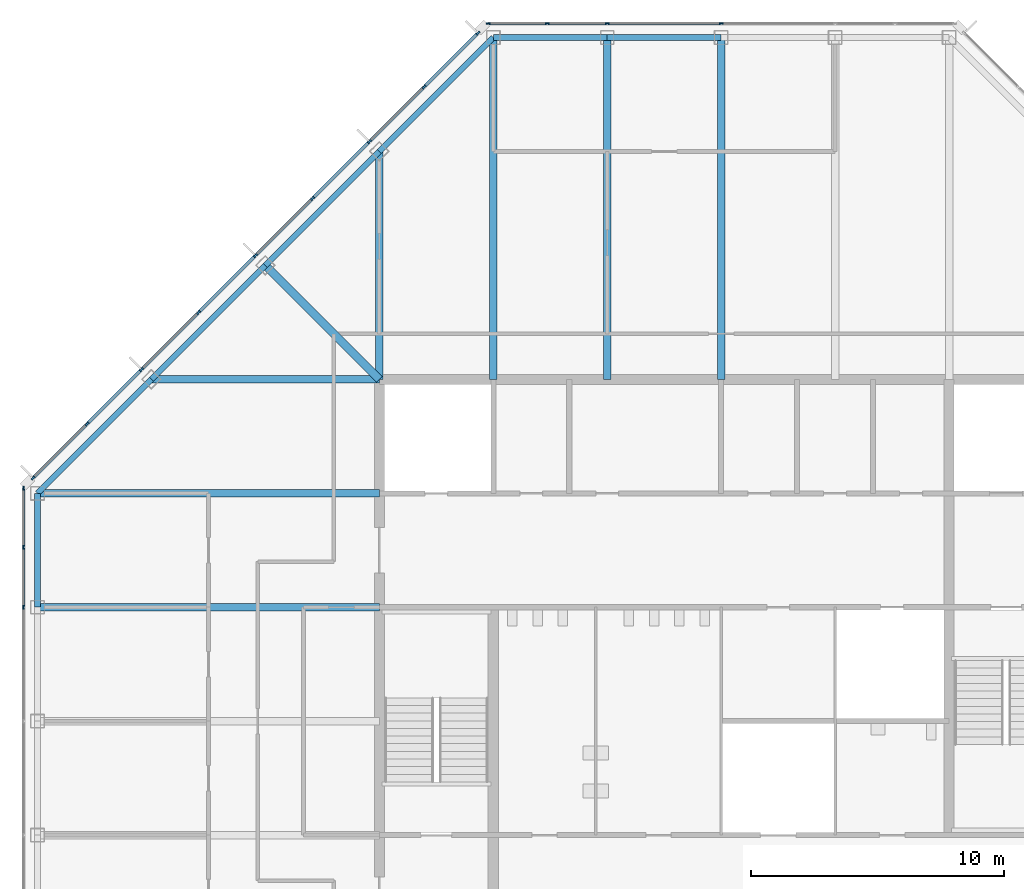
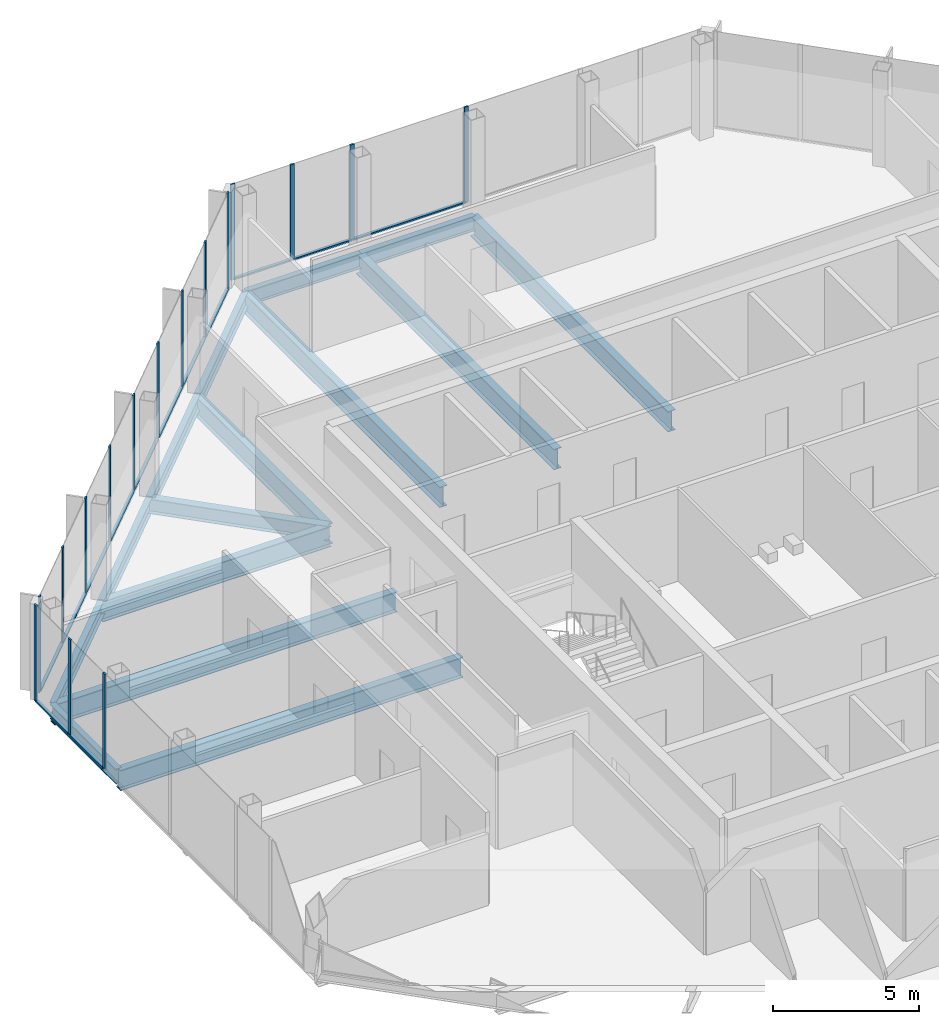
# One storey, part 6 of 14: 29 members, 15 beams, 3 elements without a shape of their own.
"""IFC4 building model written with IfcOpenShell, lengths in metres."""

import ifcopenshell
import ifcopenshell.guid

model = None  # the IFC model being written
_history = None  # IfcOwnerHistory: only IFC2X3 demands one
_inside = {}  # id of a spatial element -> (the spatial element, [elements in it])
_under = {}  # id of a project, library or spatial element -> (it, [spatial elements below it])
_declared = {}  # id of a project -> (the project, [libraries it declares])
_typed = {}  # id of a type object -> (the type object, [elements of that type])
_made_of = {}  # id of a material, layer set ... -> (it, [elements and type objects made of it])


def new_model(schema):
    """Start an empty IFC model of exactly this schema.

    Asked for "IFC4X3", IfcOpenShell would pick the latest addendum, in which some entities
    have other attributes; the version numbers below select the first issue.
    IFC2X3 requires an IfcOwnerHistory on every rooted entity: one is made here for all.
    """
    global model, _history
    if schema == "IFC4X3":
        model = ifcopenshell.file(schema_version=(4, 3, 0, 0))
    else:
        model = ifcopenshell.file(schema=schema)
    _inside.clear()
    _under.clear()
    _declared.clear()
    _typed.clear()
    _made_of.clear()
    _history = None
    if model.schema == "IFC2X3":
        org = make("IfcOrganization", Name="unknown")
        user = make(
            "IfcPersonAndOrganization",
            ThePerson=make("IfcPerson", FamilyName="unknown"),
            TheOrganization=org,
        )
        app = make(
            "IfcApplication",
            ApplicationDeveloper=org,
            Version="unknown",
            ApplicationFullName="unknown",
            ApplicationIdentifier="unknown",
        )
        _history = make(
            "IfcOwnerHistory",
            OwningUser=user,
            OwningApplication=app,
            ChangeAction="ADDED",
            CreationDate=0,
        )
    return model


def make(cls, **values):
    """One entity of the class cls with the attributes given. An attribute that is None is left unset."""
    return model.create_entity(
        cls, **{name: value for name, value in values.items() if value is not None}
    )


def rooted(cls, **values):
    """An entity with a GlobalId (a new one), such as an element, a storey or a relation."""
    return make(cls, GlobalId=ifcopenshell.guid.new(), OwnerHistory=_history, **values)


def si_unit(unit_type, name, prefix=None):
    """IfcSIUnit, for example si_unit("LENGTHUNIT", "METRE", prefix="MILLI")."""
    return make("IfcSIUnit", UnitType=unit_type, Prefix=prefix, Name=name)


def assignment(units):
    """IfcUnitAssignment: the units of a project."""
    return None if units is None else make("IfcUnitAssignment", Units=units)


def point(xyz):
    """IfcCartesianPoint."""
    return None if xyz is None else make("IfcCartesianPoint", Coordinates=xyz)


def direction(xyz):
    """IfcDirection."""
    return None if xyz is None else make("IfcDirection", DirectionRatios=xyz)


def frame(location, z_axis=None, x_axis=None):
    """IfcAxis2Placement3D, a coordinate frame: its origin and axes. An axis left out is left unset."""
    return make(
        "IfcAxis2Placement3D",
        Location=point(location),
        Axis=direction(z_axis),
        RefDirection=direction(x_axis),
    )


def frame_2d(location, x_axis=None):
    """IfcAxis2Placement2D, a coordinate frame in the plane: its origin and x axis."""
    return make(
        "IfcAxis2Placement2D", Location=point(location), RefDirection=direction(x_axis)
    )


def origin():
    """The frame at (0, 0, 0) with its axes left unset."""
    return frame((0.0, 0.0, 0.0))


def origin_2d():
    """The frame at (0, 0) in the plane with its x axis left unset."""
    return frame_2d((0.0, 0.0))


def place(relative_to, where):
    """IfcLocalPlacement: puts the frame where relative to a parent placement (None: the world)."""
    return make(
        "IfcLocalPlacement", PlacementRelTo=relative_to, RelativePlacement=where
    )


def context(
    kind, dimensions, precision=None, world=None, true_north=None, identifier=None
):
    """IfcGeometricRepresentationContext, for example the 3D "Model" context."""
    return make(
        "IfcGeometricRepresentationContext",
        ContextIdentifier=identifier,
        ContextType=kind,
        CoordinateSpaceDimension=dimensions,
        Precision=precision,
        WorldCoordinateSystem=world,
        TrueNorth=true_north,
    )


def subcontext(parent, identifier, kind, view, scale=None):
    """IfcGeometricRepresentationSubContext, for example "Body" below "Model"."""
    return make(
        "IfcGeometricRepresentationSubContext",
        ContextIdentifier=identifier,
        ContextType=kind,
        ParentContext=parent,
        TargetScale=scale,
        TargetView=view,
    )


def project(units=None, contexts=None):
    """IfcProject with its units and contexts."""
    return rooted(
        "IfcProject",
        Name="project",
        RepresentationContexts=contexts,
        UnitsInContext=assignment(units),
    )


def spatial(cls, under=None, at=None, **own):
    """A site, building, storey or space (cls), placed at a placement, below another one or the project."""
    s = rooted(cls, ObjectPlacement=at, **own)
    if under is not None:
        _under.setdefault(under.id(), (under, []))[1].append(s)
    return s


def profile(cls, at=None, kind="AREA", **sizes):
    """A parametric profile (cls). Its sizes go by their IFC names, for example OverallWidth=200.0."""
    return make(cls, ProfileType=kind, Position=at, **sizes)


def rectangle(**sizes):
    """IfcRectangleProfileDef."""
    return profile("IfcRectangleProfileDef", **sizes)


def i_section(**sizes):
    """IfcIShapeProfileDef."""
    return profile("IfcIShapeProfileDef", **sizes)


def extrude(swept, where, along, depth):
    """IfcExtrudedAreaSolid: the profile swept, set in the frame where, extruded along a direction by depth."""
    return make(
        "IfcExtrudedAreaSolid",
        SweptArea=swept,
        Position=where,
        ExtrudedDirection=direction(along),
        Depth=depth,
    )


def shape(context_of_items, identifier, shape_type, items):
    """IfcShapeRepresentation: the items that make up one representation, for example the "Body"."""
    return make(
        "IfcShapeRepresentation",
        ContextOfItems=context_of_items,
        RepresentationIdentifier=identifier,
        RepresentationType=shape_type,
        Items=items,
    )


def material(Name=None, Category=None):
    """IfcMaterial."""
    return make("IfcMaterial", Name=Name, Category=Category)


def material_profile(
    of_material, cross_section, Name=None, Category=None, Priority=None
):
    """IfcMaterialProfile: a cross section and its material."""
    return make(
        "IfcMaterialProfile",
        Name=Name,
        Material=of_material,
        Profile=cross_section,
        Priority=Priority,
        Category=Category,
    )


def profile_set(profiles, Name=None, composite=None):
    """IfcMaterialProfileSet."""
    return make(
        "IfcMaterialProfileSet",
        Name=Name,
        MaterialProfiles=profiles,
        CompositeProfile=composite,
    )


def made_of(thing, what):
    """Note that an element or type object is made of a material, layer set ...; save() writes the relation."""
    if what is not None:
        _made_of.setdefault(what.id(), (what, []))[1].append(thing)
    return thing


def type_object(cls, material=None, **own):
    """A type object (cls), such as IfcWallType, which elements share."""
    return made_of(rooted(cls, **own), material)


def element(
    cls,
    number,
    at=None,
    inside=None,
    cuts=None,
    type_object=None,
    material=None,
    context=None,
    identifier="Body",
    shape_type=None,
    held_by="IfcProductDefinitionShape",
    body=None,
    shapes=None,
    **own,
):
    """One element of the class cls, such as IfcWall. Its Tag is "e" and its number.

    at: its placement. inside: the storey or other place that contains it. cuts: it is an
    opening in that element (IfcRelVoidsElement). A single representation is given by context,
    identifier, shape_type and body (its items); several are given by shapes. held_by: the class
    of the entity that holds the representations. save() writes the other relations.
    """
    e = rooted(cls, Tag="e%d" % number, ObjectPlacement=at, **own)
    if body is not None:
        shapes = [shape(context, identifier, shape_type, body)]
    if shapes is not None:
        e.Representation = make(held_by, Representations=shapes)
    if inside is not None:
        _inside.setdefault(inside.id(), (inside, []))[1].append(e)
    if cuts is not None:
        rooted(
            "IfcRelVoidsElement", RelatingBuildingElement=cuts, RelatedOpeningElement=e
        )
    if type_object is not None:
        _typed.setdefault(type_object.id(), (type_object, []))[1].append(e)
    return made_of(e, material)


def aggregate(whole, parts):
    """IfcRelAggregates: a whole, such as a stair, and the parts it consists of."""
    return rooted("IfcRelAggregates", RelatingObject=whole, RelatedObjects=parts)


def save(model, path):
    """Write the relations noted so far, then the file.

    IfcRelAggregates (storeys below a building ...), IfcRelContainedInSpatialStructure (elements
    in a storey), IfcRelDefinesByType, IfcRelAssociatesMaterial and IfcRelDeclares: one each for
    every whole, place, type object, material and project.
    """
    for whole, parts in _under.values():
        aggregate(whole, parts)
    for where, things in _inside.values():
        rooted(
            "IfcRelContainedInSpatialStructure",
            RelatedElements=things,
            RelatingStructure=where,
        )
    for kind, things in _typed.values():
        rooted("IfcRelDefinesByType", RelatedObjects=things, RelatingType=kind)
    for what, things in _made_of.values():
        rooted("IfcRelAssociatesMaterial", RelatedObjects=things, RelatingMaterial=what)
    for by, libraries in _declared.values():
        rooted("IfcRelDeclares", RelatingContext=by, RelatedDefinitions=libraries)
    model.write(path)


model = new_model("IFC4")

# Units and contexts
model_context = context("Model", 3, precision=1e-05, world=origin(), true_north=direction((0.0, 1.0)))
body_context = subcontext(model_context, "Body", "Model", "MODEL_VIEW")
ifc_project = project(units=[si_unit("LENGTHUNIT", "METRE"), si_unit("AREAUNIT", "SQUARE_METRE"), si_unit("VOLUMEUNIT", "CUBIC_METRE"), si_unit("PLANEANGLEUNIT", "RADIAN"), si_unit("MASSUNIT", "GRAM", prefix="KILO")], contexts=[model_context])

# Site, building, storey
site_placement = place(None, origin())
site = spatial("IfcSite", under=ifc_project, at=site_placement, CompositionType="ELEMENT")
building_placement = place(site_placement, origin())
building = spatial("IfcBuilding", under=site, at=building_placement, Name="Corais Broadcast Tower", CompositionType="ELEMENT")
storey_placement = place(building_placement, frame((0.0, 0.0, 298.60009765625)))
storey = spatial("IfcBuildingStorey", under=building, at=storey_placement, Name="L70", CompositionType="ELEMENT", Elevation=298.60009765625)

# Beams
ifc_material_1 = material(Name="Steel ASTM A572 Grade 50", Category="steel")
ifc_material_profile_1 = material_profile(ifc_material_1, i_section(OverallWidth=0.323974609375, OverallDepth=0.611083984375, WebThickness=0.0126953125, FlangeThickness=0.01904296875, at=origin_2d()), Name="W610x155")
ifc_profile_set_1 = profile_set([ifc_material_profile_1], Name="Steel ASTM A572 Grade 50")
beam_type_1 = type_object("IfcBeamType", Name="Corner diagonal W610x155", PredefinedType="BEAM", material=ifc_profile_set_1)
beam_1_placement = place(storey_placement, frame((9.0, 45.0, -0.465576171875), z_axis=(0.707106781187, -0.707106781187, 0.0), x_axis=(0.707106781187, 0.707106781187, 0.0)))
element("IfcBeam", 1, at=beam_1_placement, inside=storey, type_object=beam_type_1, Name="B6 L/5 to K/6", PredefinedType="BEAM", context=body_context, shape_type="SweptSolid", body=[
    extrude(i_section(OverallWidth=0.323974609375, OverallDepth=0.611083984375, WebThickness=0.0126953125, FlangeThickness=0.01904296875, at=origin_2d()), origin(), (0.0, 0.0, 1.0), 6.364013671875),
])
ifc_material_2 = material(Name="Steel ASTM A572 Grade 50", Category="steel")
ifc_material_profile_2 = material_profile(ifc_material_2, i_section(OverallWidth=0.2939453125, OverallDepth=0.85107421875, WebThickness=0.01611328125, FlangeThickness=0.02685546875, at=origin_2d()), Name="W840x226")
ifc_profile_set_2 = profile_set([ifc_material_profile_2], Name="Steel ASTM A572 Grade 50")
beam_type_2 = type_object("IfcBeamType", Name="Floor beam W840x226", PredefinedType="BEAM", material=ifc_profile_set_2)
for number, where, z_axis, x_axis, name in (
    (2, (0.0, 31.5, -0.585693359375), (1.0, 0.0, 0.0), (0.0, 1.0, 0.0), "B1 H/3 to H/6"),
    (3, (0.0, 36.0, -0.585693359375), (1.0, 0.0, 0.0), (0.0, 1.0, 0.0), "B1 J/3 to J/6"),
):
    element("IfcBeam", number, at=place(storey_placement, frame(where, z_axis=z_axis, x_axis=x_axis)), inside=storey, type_object=beam_type_2, Name=name, PredefinedType="BEAM", context=body_context, shape_type="SweptSolid", body=[
        extrude(i_section(OverallWidth=0.2939453125, OverallDepth=0.85107421875, WebThickness=0.01611328125, FlangeThickness=0.02685546875, at=origin_2d()), origin(), (0.0, 0.0, 1.0), 13.5),
    ])
beam_2_placement = place(storey_placement, frame((13.5, 49.5, -0.585693359375), z_axis=(0.0, -1.0, 0.0), x_axis=(1.0, 0.0, 0.0)))
element("IfcBeam", 4, at=beam_2_placement, inside=storey, type_object=beam_type_2, Name="B1 M/6 to K/6", PredefinedType="BEAM", context=body_context, shape_type="SweptSolid", body=[
    extrude(i_section(OverallWidth=0.2939453125, OverallDepth=0.85107421875, WebThickness=0.01611328125, FlangeThickness=0.02685546875, at=origin_2d()), origin(), (0.0, 0.0, 1.0), 9.0),
])
for number, where, z_axis, x_axis, name in (
    (5, (18.0, 54.0, -0.585693359375), (0.0, -1.0, 0.0), (1.0, 0.0, 0.0), "B1 N/7 to K/7"),
    (6, (22.5, 54.0, -0.585693359375), (0.0, -1.0, 0.0), (1.0, 0.0, 0.0), "B1 N/8 to K/8"),
    (7, (27.0, 54.0, -0.585693359375), (0.0, -1.0, 0.0), (1.0, 0.0, 0.0), "B1 N/9 to K/9"),
):
    element("IfcBeam", number, at=place(storey_placement, frame(where, z_axis=z_axis, x_axis=x_axis)), inside=storey, type_object=beam_type_2, Name=name, PredefinedType="BEAM", context=body_context, shape_type="SweptSolid", body=[
        extrude(i_section(OverallWidth=0.2939453125, OverallDepth=0.85107421875, WebThickness=0.01611328125, FlangeThickness=0.02685546875, at=origin_2d()), origin(), (0.0, 0.0, 1.0), 13.5),
    ])
beam_3_placement = place(storey_placement, frame((4.5, 40.5, -0.585693359375), z_axis=(1.0, 0.0, 0.0), x_axis=(0.0, 1.0, 0.0)))
element("IfcBeam", 8, at=beam_3_placement, inside=storey, type_object=beam_type_2, Name="B1 K/4 to K/6", PredefinedType="BEAM", context=body_context, shape_type="SweptSolid", body=[
    extrude(i_section(OverallWidth=0.2939453125, OverallDepth=0.85107421875, WebThickness=0.01611328125, FlangeThickness=0.02685546875, at=origin_2d()), origin(), (0.0, 0.0, 1.0), 9.0),
])

# Curtain wall, members
ifc_material_3 = material(Name="Aluminium and glass", Category="aluminium")
curtain_wall_type = type_object("IfcCurtainWallType", Name="Unitised fritted curtain wall CW3", PredefinedType="NOTDEFINED", material=ifc_material_3)
curtain_wall_1_placement = place(storey_placement, origin())
curtain_wall_1 = element("IfcCurtainWall", 9, at=curtain_wall_1_placement, inside=storey, type_object=curtain_wall_type, Name="CW3 curtain wall L70 2", PredefinedType="NOTDEFINED")
ifc_material_4 = material(Name="Aluminium 6063-T6", Category="aluminium")
ifc_material_profile_3 = material_profile(ifc_material_4, rectangle(XDim=0.06494140625, YDim=0.159912109375, at=origin_2d()), Name="Mullion CW3 65x160")
ifc_profile_set_3 = profile_set([ifc_material_profile_3], Name="Aluminium 6063-T6")
member_type_1 = type_object("IfcMemberType", Name="Mullion CW3 65x160", PredefinedType="MULLION", material=ifc_profile_set_3)
member_1_placement = place(storey_placement, frame((-0.550048828125, 31.5, 0.0), z_axis=(0.0, 0.0, 1.0), x_axis=(-1.0, 0.0, 0.0)))
member_1 = element("IfcMember", 10, at=member_1_placement, type_object=member_type_1, Name="CW3 mullion 5", PredefinedType="MULLION", context=body_context, shape_type="SweptSolid", body=[
    extrude(rectangle(XDim=0.06494140625, YDim=0.159912109375, at=origin_2d()), origin(), (0.0, 0.0, 1.0), 4.0),
])
member_2_placement = place(storey_placement, frame((-0.550048828125, 33.864013671875, 0.0), z_axis=(0.0, 0.0, 1.0), x_axis=(-1.0, 0.0, 0.0)))
member_2 = element("IfcMember", 11, at=member_2_placement, type_object=member_type_1, Name="CW3 mullion 6", PredefinedType="MULLION", context=body_context, shape_type="SweptSolid", body=[
    extrude(rectangle(XDim=0.06494140625, YDim=0.159912109375, at=origin_2d()), origin(), (0.0, 0.0, 1.0), 4.0),
])
member_3_placement = place(storey_placement, frame((-0.550048828125, 36.1953125, 0.0), z_axis=(0.0, 0.0, 1.0), x_axis=(-1.0, 0.0, 0.0)))
member_3 = element("IfcMember", 12, at=member_3_placement, type_object=member_type_1, Name="CW3 mullion 7", PredefinedType="MULLION", context=body_context, shape_type="SweptSolid", body=[
    extrude(rectangle(XDim=0.06494140625, YDim=0.159912109375, at=origin_2d()), origin(), (0.0, 0.0, 1.0), 4.0),
])

curtain_wall_2_placement = place(storey_placement, origin())
curtain_wall_2 = element("IfcCurtainWall", 13, at=curtain_wall_2_placement, inside=storey, type_object=curtain_wall_type, Name="CW3 curtain wall L70 3", PredefinedType="NOTDEFINED")
member_4_placement = place(storey_placement, frame((-0.17333984375, 36.6044921875, 0.0), z_axis=(0.0, 0.0, 1.0), x_axis=(-0.707106781187, 0.707106781187, 0.0)))
member_4 = element("IfcMember", 14, at=member_4_placement, type_object=member_type_1, Name="CW3 mullion 1", PredefinedType="MULLION", context=body_context, shape_type="SweptSolid", body=[
    extrude(rectangle(XDim=0.06494140625, YDim=0.159912109375, at=origin_2d()), origin(), (0.0, 0.0, 1.0), 4.0),
])
member_5_placement = place(storey_placement, frame((1.957275390625, 38.735107421875, 0.0), z_axis=(0.0, 0.0, 1.0), x_axis=(-0.707106781187, 0.707106781187, 0.0)))
member_5 = element("IfcMember", 15, at=member_5_placement, type_object=member_type_1, Name="CW3 mullion 2", PredefinedType="MULLION", context=body_context, shape_type="SweptSolid", body=[
    extrude(rectangle(XDim=0.06494140625, YDim=0.159912109375, at=origin_2d()), origin(), (0.0, 0.0, 1.0), 4.0),
])
member_6_placement = place(storey_placement, frame((4.111083984375, 40.888916015625, 0.0), z_axis=(0.0, 0.0, 1.0), x_axis=(-0.707106781187, 0.707106781187, 0.0)))
member_6 = element("IfcMember", 16, at=member_6_placement, type_object=member_type_1, Name="CW3 mullion 3", PredefinedType="MULLION", context=body_context, shape_type="SweptSolid", body=[
    extrude(rectangle(XDim=0.06494140625, YDim=0.159912109375, at=origin_2d()), origin(), (0.0, 0.0, 1.0), 4.0),
])
member_7_placement = place(storey_placement, frame((6.361083984375, 43.138916015625, 0.0), z_axis=(0.0, 0.0, 1.0), x_axis=(-0.707106781187, 0.707106781187, 0.0)))
member_7 = element("IfcMember", 17, at=member_7_placement, type_object=member_type_1, Name="CW3 mullion 4", PredefinedType="MULLION", context=body_context, shape_type="SweptSolid", body=[
    extrude(rectangle(XDim=0.06494140625, YDim=0.159912109375, at=origin_2d()), origin(), (0.0, 0.0, 1.0), 4.0),
])
member_8_placement = place(storey_placement, frame((8.611083984375, 45.388916015625, 0.0), z_axis=(0.0, 0.0, 1.0), x_axis=(-0.707106781187, 0.707106781187, 0.0)))
member_8 = element("IfcMember", 18, at=member_8_placement, type_object=member_type_1, Name="CW3 mullion 5", PredefinedType="MULLION", context=body_context, shape_type="SweptSolid", body=[
    extrude(rectangle(XDim=0.06494140625, YDim=0.159912109375, at=origin_2d()), origin(), (0.0, 0.0, 1.0), 4.0),
])
member_9_placement = place(storey_placement, frame((10.861083984375, 47.638916015625, 0.0), z_axis=(0.0, 0.0, 1.0), x_axis=(-0.707106781187, 0.707106781187, 0.0)))
member_9 = element("IfcMember", 19, at=member_9_placement, type_object=member_type_1, Name="CW3 mullion 6", PredefinedType="MULLION", context=body_context, shape_type="SweptSolid", body=[
    extrude(rectangle(XDim=0.06494140625, YDim=0.159912109375, at=origin_2d()), origin(), (0.0, 0.0, 1.0), 4.0),
])
member_10_placement = place(storey_placement, frame((13.111083984375, 49.888916015625, 0.0), z_axis=(0.0, 0.0, 1.0), x_axis=(-0.707106781187, 0.707106781187, 0.0)))
member_10 = element("IfcMember", 20, at=member_10_placement, type_object=member_type_1, Name="CW3 mullion 7", PredefinedType="MULLION", context=body_context, shape_type="SweptSolid", body=[
    extrude(rectangle(XDim=0.06494140625, YDim=0.159912109375, at=origin_2d()), origin(), (0.0, 0.0, 1.0), 4.0),
])
member_11_placement = place(storey_placement, frame((15.264892578125, 52.042724609375, 0.0), z_axis=(0.0, 0.0, 1.0), x_axis=(-0.707106781187, 0.707106781187, 0.0)))
member_11 = element("IfcMember", 21, at=member_11_placement, type_object=member_type_1, Name="CW3 mullion 8", PredefinedType="MULLION", context=body_context, shape_type="SweptSolid", body=[
    extrude(rectangle(XDim=0.06494140625, YDim=0.159912109375, at=origin_2d()), origin(), (0.0, 0.0, 1.0), 4.0),
])
member_12_placement = place(storey_placement, frame((17.3955078125, 54.17333984375, 0.0), z_axis=(0.0, 0.0, 1.0), x_axis=(-0.707106781187, 0.707106781187, 0.0)))
member_12 = element("IfcMember", 22, at=member_12_placement, type_object=member_type_1, Name="CW3 mullion 9", PredefinedType="MULLION", context=body_context, shape_type="SweptSolid", body=[
    extrude(rectangle(XDim=0.06494140625, YDim=0.159912109375, at=origin_2d()), origin(), (0.0, 0.0, 1.0), 4.0),
])

curtain_wall_3_placement = place(storey_placement, origin())
curtain_wall_3 = element("IfcCurtainWall", 23, at=curtain_wall_3_placement, inside=storey, type_object=curtain_wall_type, Name="CW3 curtain wall L70 4", PredefinedType="NOTDEFINED")
member_13_placement = place(storey_placement, frame((17.8046875, 54.550048828125, 0.0), z_axis=(0.0, 0.0, 1.0), x_axis=(0.0, 1.0, 0.0)))
member_13 = element("IfcMember", 24, at=member_13_placement, type_object=member_type_1, Name="CW3 mullion 1", PredefinedType="MULLION", context=body_context, shape_type="SweptSolid", body=[
    extrude(rectangle(XDim=0.06494140625, YDim=0.159912109375, at=origin_2d()), origin(), (0.0, 0.0, 1.0), 4.0),
])
member_14_placement = place(storey_placement, frame((20.135986328125, 54.550048828125, 0.0), z_axis=(0.0, 0.0, 1.0), x_axis=(0.0, 1.0, 0.0)))
member_14 = element("IfcMember", 25, at=member_14_placement, type_object=member_type_1, Name="CW3 mullion 2", PredefinedType="MULLION", context=body_context, shape_type="SweptSolid", body=[
    extrude(rectangle(XDim=0.06494140625, YDim=0.159912109375, at=origin_2d()), origin(), (0.0, 0.0, 1.0), 4.0),
])
member_15_placement = place(storey_placement, frame((22.5, 54.550048828125, 0.0), z_axis=(0.0, 0.0, 1.0), x_axis=(0.0, 1.0, 0.0)))
member_15 = element("IfcMember", 26, at=member_15_placement, type_object=member_type_1, Name="CW3 mullion 3", PredefinedType="MULLION", context=body_context, shape_type="SweptSolid", body=[
    extrude(rectangle(XDim=0.06494140625, YDim=0.159912109375, at=origin_2d()), origin(), (0.0, 0.0, 1.0), 4.0),
])
member_16_placement = place(storey_placement, frame((27.0, 54.550048828125, 0.0), z_axis=(0.0, 0.0, 1.0), x_axis=(0.0, 1.0, 0.0)))
member_16 = element("IfcMember", 27, at=member_16_placement, type_object=member_type_1, Name="CW3 mullion 4", PredefinedType="MULLION", context=body_context, shape_type="SweptSolid", body=[
    extrude(rectangle(XDim=0.06494140625, YDim=0.159912109375, at=origin_2d()), origin(), (0.0, 0.0, 1.0), 4.0),
])

# Beams
ifc_material_5 = material(Name="Steel ASTM A572 Grade 50", Category="steel")
ifc_material_profile_4 = material_profile(ifc_material_5, i_section(OverallWidth=0.22998046875, OverallDepth=0.616943359375, WebThickness=0.01318359375, FlangeThickness=0.022216796875, at=origin_2d()), Name="W610x140")
ifc_profile_set_4 = profile_set([ifc_material_profile_4], Name="Steel ASTM A572 Grade 50")
beam_type_3 = type_object("IfcBeamType", Name="Spandrel W610x140", PredefinedType="BEAM", material=ifc_profile_set_4)
beam_4_placement = place(storey_placement, frame((0.0, 36.0, -0.468505859375), z_axis=(0.0, -1.0, 0.0), x_axis=(1.0, 0.0, 0.0)))
element("IfcBeam", 28, at=beam_4_placement, inside=storey, type_object=beam_type_3, Name="SB3 J/3 to H/3", PredefinedType="BEAM", context=body_context, shape_type="SweptSolid", body=[
    extrude(i_section(OverallWidth=0.22998046875, OverallDepth=0.616943359375, WebThickness=0.01318359375, FlangeThickness=0.022216796875, at=origin_2d()), origin(), (0.0, 0.0, 1.0), 4.5),
])
for number, where, z_axis, x_axis, name in (
    (29, (13.5, 49.5, -0.468505859375), (-0.707106781187, -0.707106781187, 0.0), (0.707106781187, -0.707106781187, 0.0), "SB3 M/6 to L/5"),
    (30, (18.0, 54.0, -0.468505859375), (-0.707106781187, -0.707106781187, 0.0), (0.707106781187, -0.707106781187, 0.0), "SB3 N/7 to M/6"),
):
    element("IfcBeam", number, at=place(storey_placement, frame(where, z_axis=z_axis, x_axis=x_axis)), inside=storey, type_object=beam_type_3, Name=name, PredefinedType="BEAM", context=body_context, shape_type="SweptSolid", body=[
        extrude(i_section(OverallWidth=0.22998046875, OverallDepth=0.616943359375, WebThickness=0.01318359375, FlangeThickness=0.022216796875, at=origin_2d()), origin(), (0.0, 0.0, 1.0), 6.364013671875),
    ])
for number, where, z_axis, x_axis, name in (
    (31, (22.5, 54.0, -0.468505859375), (-1.0, 0.0, 0.0), (0.0, -1.0, 0.0), "SB3 N/8 to N/7"),
    (32, (27.0, 54.0, -0.468505859375), (-1.0, 0.0, 0.0), (0.0, -1.0, 0.0), "SB3 N/9 to N/8"),
):
    element("IfcBeam", number, at=place(storey_placement, frame(where, z_axis=z_axis, x_axis=x_axis)), inside=storey, type_object=beam_type_3, Name=name, PredefinedType="BEAM", context=body_context, shape_type="SweptSolid", body=[
        extrude(i_section(OverallWidth=0.22998046875, OverallDepth=0.616943359375, WebThickness=0.01318359375, FlangeThickness=0.022216796875, at=origin_2d()), origin(), (0.0, 0.0, 1.0), 4.5),
    ])
for number, where, z_axis, x_axis, name in (
    (33, (4.5, 40.5, -0.468505859375), (-0.707106781187, -0.707106781187, 0.0), (0.707106781187, -0.707106781187, 0.0), "SB3 K/4 to J/3"),
    (34, (9.0, 45.0, -0.468505859375), (-0.707106781187, -0.707106781187, 0.0), (0.707106781187, -0.707106781187, 0.0), "SB3 L/5 to K/4"),
):
    element("IfcBeam", number, at=place(storey_placement, frame(where, z_axis=z_axis, x_axis=x_axis)), inside=storey, type_object=beam_type_3, Name=name, PredefinedType="BEAM", context=body_context, shape_type="SweptSolid", body=[
        extrude(i_section(OverallWidth=0.22998046875, OverallDepth=0.616943359375, WebThickness=0.01318359375, FlangeThickness=0.022216796875, at=origin_2d()), origin(), (0.0, 0.0, 1.0), 6.364013671875),
    ])

# Member
ifc_material_6 = material(Name="Aluminium 6063-T6", Category="aluminium")
ifc_material_profile_5 = material_profile(ifc_material_6, rectangle(XDim=0.1201171875, YDim=0.06494140625, at=origin_2d()), Name="Transom CW3 65x120")
ifc_profile_set_5 = profile_set([ifc_material_profile_5], Name="Aluminium 6063-T6")
member_type_2 = type_object("IfcMemberType", Name="Transom CW3 65x120", PredefinedType="USERDEFINED", material=ifc_profile_set_5)
member_17_placement = place(storey_placement, frame((-0.550048828125, 31.532470703125, 0.032470703125), z_axis=(0.0, 1.0, 0.0), x_axis=(-1.0, 0.0, 0.0)))
member_17 = element("IfcMember", 35, at=member_17_placement, type_object=member_type_2, Name="CW3 transom 5.1", ObjectType="TRANSOM", PredefinedType="USERDEFINED", context=body_context, shape_type="SweptSolid", body=[
    extrude(rectangle(XDim=0.1201171875, YDim=0.06494140625, at=origin_2d()), origin(), (0.0, 0.0, 1.0), 2.298828125),
])

member_18_placement = place(storey_placement, frame((-0.550048828125, 33.896484375, 0.032470703125), z_axis=(0.0, 1.0, 0.0), x_axis=(-1.0, 0.0, 0.0)))
member_18 = element("IfcMember", 36, at=member_18_placement, type_object=member_type_2, Name="CW3 transom 6.1", ObjectType="TRANSOM", PredefinedType="USERDEFINED", context=body_context, shape_type="SweptSolid", body=[
    extrude(rectangle(XDim=0.1201171875, YDim=0.06494140625, at=origin_2d()), origin(), (0.0, 0.0, 1.0), 2.266357421875),
])

aggregate(curtain_wall_1, [member_1, member_2, member_3, member_17, member_18])

member_19_placement = place(storey_placement, frame((-0.150390625, 36.62744140625, 0.032470703125), z_axis=(0.707106781187, 0.707106781187, 0.0), x_axis=(-0.707106781187, 0.707106781187, 0.0)))
member_19 = element("IfcMember", 37, at=member_19_placement, type_object=member_type_2, Name="CW3 transom 1.1", ObjectType="TRANSOM", PredefinedType="USERDEFINED", context=body_context, shape_type="SweptSolid", body=[
    extrude(rectangle(XDim=0.1201171875, YDim=0.06494140625, at=origin_2d()), origin(), (0.0, 0.0, 1.0), 2.9482421875),
])

member_20_placement = place(storey_placement, frame((1.980224609375, 38.758056640625, 0.032470703125), z_axis=(0.707106781187, 0.707106781187, 0.0), x_axis=(-0.707106781187, 0.707106781187, 0.0)))
member_20 = element("IfcMember", 38, at=member_20_placement, type_object=member_type_2, Name="CW3 transom 2.1", ObjectType="TRANSOM", PredefinedType="USERDEFINED", context=body_context, shape_type="SweptSolid", body=[
    extrude(rectangle(XDim=0.1201171875, YDim=0.06494140625, at=origin_2d()), origin(), (0.0, 0.0, 1.0), 2.98095703125),
])

member_21_placement = place(storey_placement, frame((4.134033203125, 40.911865234375, 0.032470703125), z_axis=(0.707106781187, 0.707106781187, 0.0), x_axis=(-0.707106781187, 0.707106781187, 0.0)))
member_21 = element("IfcMember", 39, at=member_21_placement, type_object=member_type_2, Name="CW3 transom 3.1", ObjectType="TRANSOM", PredefinedType="USERDEFINED", context=body_context, shape_type="SweptSolid", body=[
    extrude(rectangle(XDim=0.1201171875, YDim=0.06494140625, at=origin_2d()), origin(), (0.0, 0.0, 1.0), 3.1171875),
])

member_22_placement = place(storey_placement, frame((6.384033203125, 43.161865234375, 0.032470703125), z_axis=(0.707106781187, 0.707106781187, 0.0), x_axis=(-0.707106781187, 0.707106781187, 0.0)))
member_22 = element("IfcMember", 40, at=member_22_placement, type_object=member_type_2, Name="CW3 transom 4.1", ObjectType="TRANSOM", PredefinedType="USERDEFINED", context=body_context, shape_type="SweptSolid", body=[
    extrude(rectangle(XDim=0.1201171875, YDim=0.06494140625, at=origin_2d()), origin(), (0.0, 0.0, 1.0), 3.1171875),
])

member_23_placement = place(storey_placement, frame((8.634033203125, 45.411865234375, 0.032470703125), z_axis=(0.707106781187, 0.707106781187, 0.0), x_axis=(-0.707106781187, 0.707106781187, 0.0)))
member_23 = element("IfcMember", 41, at=member_23_placement, type_object=member_type_2, Name="CW3 transom 5.1", ObjectType="TRANSOM", PredefinedType="USERDEFINED", context=body_context, shape_type="SweptSolid", body=[
    extrude(rectangle(XDim=0.1201171875, YDim=0.06494140625, at=origin_2d()), origin(), (0.0, 0.0, 1.0), 3.1171875),
])

member_24_placement = place(storey_placement, frame((10.884033203125, 47.661865234375, 0.032470703125), z_axis=(0.707106781187, 0.707106781187, 0.0), x_axis=(-0.707106781187, 0.707106781187, 0.0)))
member_24 = element("IfcMember", 42, at=member_24_placement, type_object=member_type_2, Name="CW3 transom 6.1", ObjectType="TRANSOM", PredefinedType="USERDEFINED", context=body_context, shape_type="SweptSolid", body=[
    extrude(rectangle(XDim=0.1201171875, YDim=0.06494140625, at=origin_2d()), origin(), (0.0, 0.0, 1.0), 3.1171875),
])

member_25_placement = place(storey_placement, frame((13.134033203125, 49.911865234375, 0.032470703125), z_axis=(0.70714773134, 0.707065828661, 0.0), x_axis=(-0.707065828661, 0.70714773134, 0.0)))
member_25 = element("IfcMember", 43, at=member_25_placement, type_object=member_type_2, Name="CW3 transom 7.1", ObjectType="TRANSOM", PredefinedType="USERDEFINED", context=body_context, shape_type="SweptSolid", body=[
    extrude(rectangle(XDim=0.1201171875, YDim=0.06494140625, at=origin_2d()), origin(), (0.0, 0.0, 1.0), 2.98095703125),
])

member_26_placement = place(storey_placement, frame((15.287841796875, 52.065673828125, 0.032470703125), z_axis=(0.707106781187, 0.707106781187, 0.0), x_axis=(-0.707106781187, 0.707106781187, 0.0)))
member_26 = element("IfcMember", 44, at=member_26_placement, type_object=member_type_2, Name="CW3 transom 8.1", ObjectType="TRANSOM", PredefinedType="USERDEFINED", context=body_context, shape_type="SweptSolid", body=[
    extrude(rectangle(XDim=0.1201171875, YDim=0.06494140625, at=origin_2d()), origin(), (0.0, 0.0, 1.0), 2.9482421875),
])

aggregate(curtain_wall_2, [member_4, member_5, member_6, member_7, member_8, member_9, member_10, member_11, member_12, member_19, member_20, member_21, member_22, member_23, member_24, member_25, member_26])

member_27_placement = place(storey_placement, frame((17.837158203125, 54.550048828125, 0.032470703125), z_axis=(1.0, 0.0, 0.0), x_axis=(0.0, 1.0, 0.0)))
member_27 = element("IfcMember", 45, at=member_27_placement, type_object=member_type_2, Name="CW3 transom 1.1", ObjectType="TRANSOM", PredefinedType="USERDEFINED", context=body_context, shape_type="SweptSolid", body=[
    extrude(rectangle(XDim=0.1201171875, YDim=0.06494140625, at=origin_2d()), origin(), (0.0, 0.0, 1.0), 2.266357421875),
])

member_28_placement = place(storey_placement, frame((20.168701171875, 54.550048828125, 0.032470703125), z_axis=(1.0, 0.0, 0.0), x_axis=(0.0, 1.0, 0.0)))
member_28 = element("IfcMember", 46, at=member_28_placement, type_object=member_type_2, Name="CW3 transom 2.1", ObjectType="TRANSOM", PredefinedType="USERDEFINED", context=body_context, shape_type="SweptSolid", body=[
    extrude(rectangle(XDim=0.1201171875, YDim=0.06494140625, at=origin_2d()), origin(), (0.0, 0.0, 1.0), 2.298828125),
])

member_29_placement = place(storey_placement, frame((22.532470703125, 54.550048828125, 0.032470703125), z_axis=(1.0, 0.0, 0.0), x_axis=(0.0, 1.0, 0.0)))
member_29 = element("IfcMember", 47, at=member_29_placement, type_object=member_type_2, Name="CW3 transom 3.1", ObjectType="TRANSOM", PredefinedType="USERDEFINED", context=body_context, shape_type="SweptSolid", body=[
    extrude(rectangle(XDim=0.1201171875, YDim=0.06494140625, at=origin_2d()), origin(), (0.0, 0.0, 1.0), 4.43505859375),
])

aggregate(curtain_wall_3, [member_13, member_14, member_15, member_16, member_27, member_28, member_29])

save(model, "model.ifc")
